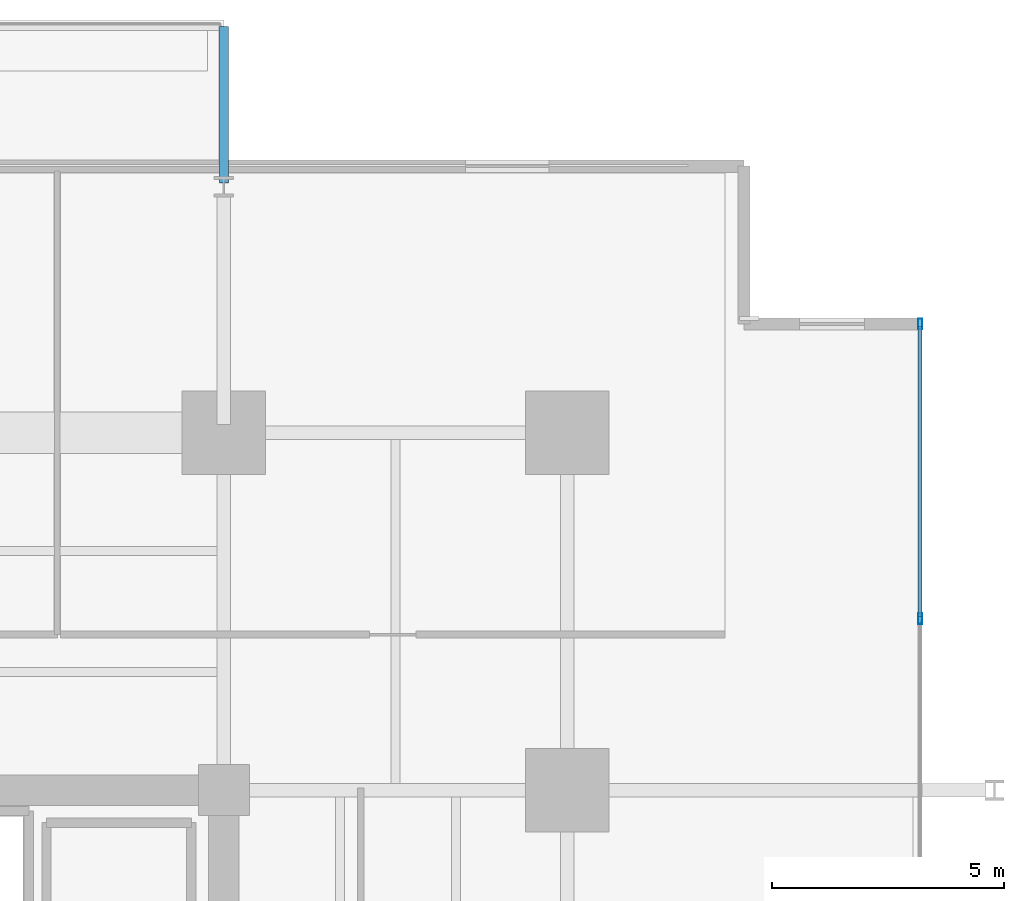
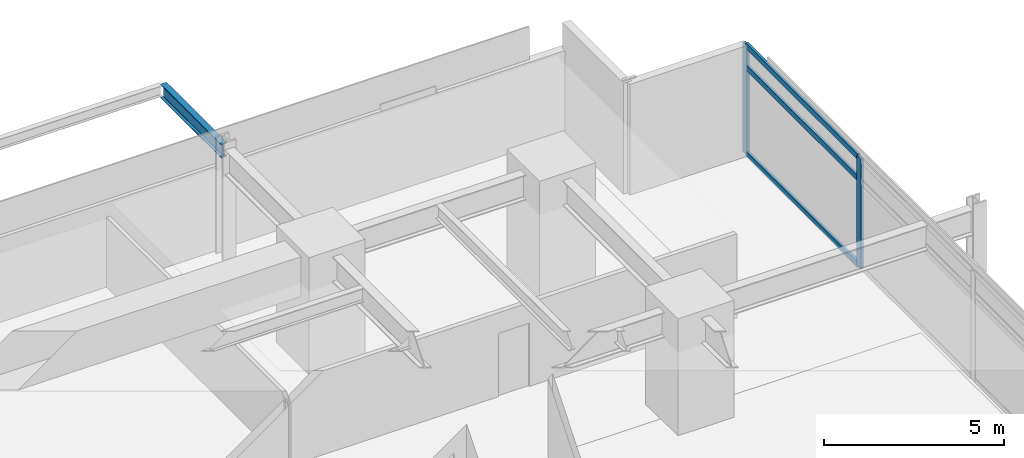
# One storey, part 13 of 25: 5 members, 1 beam, 1 element without a shape of its own.
"""IFC4 building model written with IfcOpenShell, lengths in metres."""

from ifc_helpers import new_model, si_unit, direction, frame, origin, origin_2d, place, context, subcontext, project, spatial, hollow_rectangle, i_section, extrude, material, material_profile, profile_set, type_object, element, aggregate, save


model = new_model("IFC4")

# Units and contexts
model_context = context("Model", 3, precision=1e-05, world=origin(), true_north=direction((0.0, 1.0)))
body_context = subcontext(model_context, "Body", "Model", "MODEL_VIEW")
ifc_project = project(units=[si_unit("LENGTHUNIT", "METRE"), si_unit("AREAUNIT", "SQUARE_METRE"), si_unit("VOLUMEUNIT", "CUBIC_METRE"), si_unit("PLANEANGLEUNIT", "RADIAN"), si_unit("MASSUNIT", "GRAM", prefix="KILO")], contexts=[model_context])

# Site, building, storey
site_placement = place(None, origin())
site = spatial("IfcSite", under=ifc_project, at=site_placement, CompositionType="ELEMENT")
building_placement = place(site_placement, origin())
building = spatial("IfcBuilding", under=site, at=building_placement, Name="Kovane Verandah Tower", CompositionType="ELEMENT")
storey_placement = place(building_placement, frame((0.0, 0.0, 67.60009765625)))
storey = spatial("IfcBuildingStorey", under=building, at=storey_placement, Name="L15", CompositionType="ELEMENT", Elevation=67.60009765625)

# Curtain wall, members
ifc_material_1 = material(Name="Champagne Anodised Aluminium Frame with Low-E Clear Laminated Glass", Category="aluminium")
curtain_wall_type = type_object("IfcCurtainWallType", Name="CW-SYS-02-LOW", PredefinedType="NOTDEFINED", material=ifc_material_1)
curtain_wall_placement = place(storey_placement, origin())
curtain_wall = element("IfcCurtainWall", 1, at=curtain_wall_placement, inside=storey, type_object=curtain_wall_type, Name="L15 E Unitised Curtain Wall", PredefinedType="NOTDEFINED")
ifc_material_2 = material(Name="Champagne Anodised Aluminium 6063-T6", Category="aluminium")
ifc_material_profile_1 = material_profile(ifc_material_2, hollow_rectangle(XDim=0.0849609375, YDim=0.22998046875, WallThickness=0.00390625, at=origin_2d()), Name="AL85x230x4")
ifc_profile_set_1 = profile_set([ifc_material_profile_1], Name="Champagne Anodised Aluminium 6063-T6")
member_type_1 = type_object("IfcMemberType", Name="CW-MUL-85x230", PredefinedType="MULLION", material=ifc_profile_set_1)
member_1_placement = place(storey_placement, frame((66.001220703125, 40.19384765625, 0.02001953125), z_axis=(0.0, 0.0, 1.0), x_axis=(1.0, 0.0, 0.0)))
member_1 = element("IfcMember", 2, at=member_1_placement, type_object=member_type_1, Name="L15 E Unitised Curtain Wall Mullion 6", PredefinedType="MULLION", context=body_context, shape_type="SweptSolid", body=[
    extrude(hollow_rectangle(XDim=0.0849609375, YDim=0.22998046875, WallThickness=0.00390625, at=origin_2d()), origin(), (0.0, 0.0, 1.0), 3.719970703125),
])
member_2_placement = place(storey_placement, frame((66.001220703125, 46.540771484375, 0.02001953125), z_axis=(0.0, 0.0, 1.0), x_axis=(1.0, 0.0, 0.0)))
member_2 = element("IfcMember", 3, at=member_2_placement, type_object=member_type_1, Name="L15 E Unitised Curtain Wall Mullion 7", PredefinedType="MULLION", context=body_context, shape_type="SweptSolid", body=[
    extrude(hollow_rectangle(XDim=0.0849609375, YDim=0.22998046875, WallThickness=0.00390625, at=origin_2d()), origin(), (0.0, 0.0, 1.0), 3.719970703125),
])
ifc_material_profile_2 = material_profile(ifc_material_2, hollow_rectangle(XDim=0.0849609375, YDim=0.18994140625, WallThickness=0.00390625, at=origin_2d()), Name="AL85x190x4")
ifc_profile_set_2 = profile_set([ifc_material_profile_2], Name="Champagne Anodised Aluminium 6063-T6")
member_type_2 = type_object("IfcMemberType", Name="CW-TRN-85x190", PredefinedType="USERDEFINED", material=ifc_profile_set_2)
member_3_placement = place(storey_placement, frame((66.001220703125, 40.243896484375, 0.0498046875), z_axis=(0.0, 1.0, 0.0), x_axis=(-1.0, 0.0, 0.0)))
member_3 = element("IfcMember", 4, at=member_3_placement, type_object=member_type_2, Name="L15 E Unitised Curtain Wall Transom TB Bay 6", ObjectType="TRANSOM", PredefinedType="USERDEFINED", context=body_context, shape_type="SweptSolid", body=[
    extrude(hollow_rectangle(XDim=0.0849609375, YDim=0.18994140625, WallThickness=0.00390625, at=origin_2d()), origin(), (0.0, 0.0, 1.0), 6.246826171875),
])
member_4_placement = place(storey_placement, frame((66.001220703125, 40.243896484375, 2.97998046875), z_axis=(0.0, 1.0, 0.0), x_axis=(-1.0, 0.0, 0.0)))
member_4 = element("IfcMember", 5, at=member_4_placement, type_object=member_type_2, Name="L15 E Unitised Curtain Wall Transom TM Bay 6", ObjectType="TRANSOM", PredefinedType="USERDEFINED", context=body_context, shape_type="SweptSolid", body=[
    extrude(hollow_rectangle(XDim=0.0849609375, YDim=0.18994140625, WallThickness=0.00390625, at=origin_2d()), origin(), (0.0, 0.0, 1.0), 6.246826171875),
])
member_5_placement = place(storey_placement, frame((66.001220703125, 40.243896484375, 3.7099609375), z_axis=(0.0, 1.0, 0.0), x_axis=(-1.0, 0.0, 0.0)))
member_5 = element("IfcMember", 6, at=member_5_placement, type_object=member_type_2, Name="L15 E Unitised Curtain Wall Transom TT Bay 6", ObjectType="TRANSOM", PredefinedType="USERDEFINED", context=body_context, shape_type="SweptSolid", body=[
    extrude(hollow_rectangle(XDim=0.0849609375, YDim=0.18994140625, WallThickness=0.00390625, at=origin_2d()), origin(), (0.0, 0.0, 1.0), 6.246826171875),
])
aggregate(curtain_wall, [member_1, member_2, member_3, member_4, member_5])

# Beam
ifc_material_3 = material(Name="Steel S355", Category="steel")
ifc_material_profile_3 = material_profile(ifc_material_3, i_section(OverallWidth=0.19287109375, OverallDepth=0.46728515625, WebThickness=0.011474609375, FlangeThickness=0.01953125, FilletRadius=0.01025390625, at=origin_2d()), Name="UB457x191x98")
ifc_profile_set_3 = profile_set([ifc_material_profile_3], Name="Steel S355")
beam_type = type_object("IfcBeamType", Name="JST-UB457x98", PredefinedType="JOIST", material=ifc_profile_set_3)
beam_placement = place(storey_placement, frame((51.0, 49.580078125, 3.5263671875), z_axis=(0.0, 1.0, 0.0), x_axis=(-1.0, 0.0, 0.0)))
element("IfcBeam", 7, at=beam_placement, inside=storey, type_object=beam_type, Name="L15 North Planter Girder 2", PredefinedType="JOIST", context=body_context, shape_type="SweptSolid", body=[
    extrude(i_section(OverallWidth=0.19287109375, OverallDepth=0.46728515625, WebThickness=0.011474609375, FlangeThickness=0.01953125, FilletRadius=0.01025390625, at=origin_2d()), origin(), (0.0, 0.0, 1.0), 3.370361328125),
])

save(model, "model.ifc")
